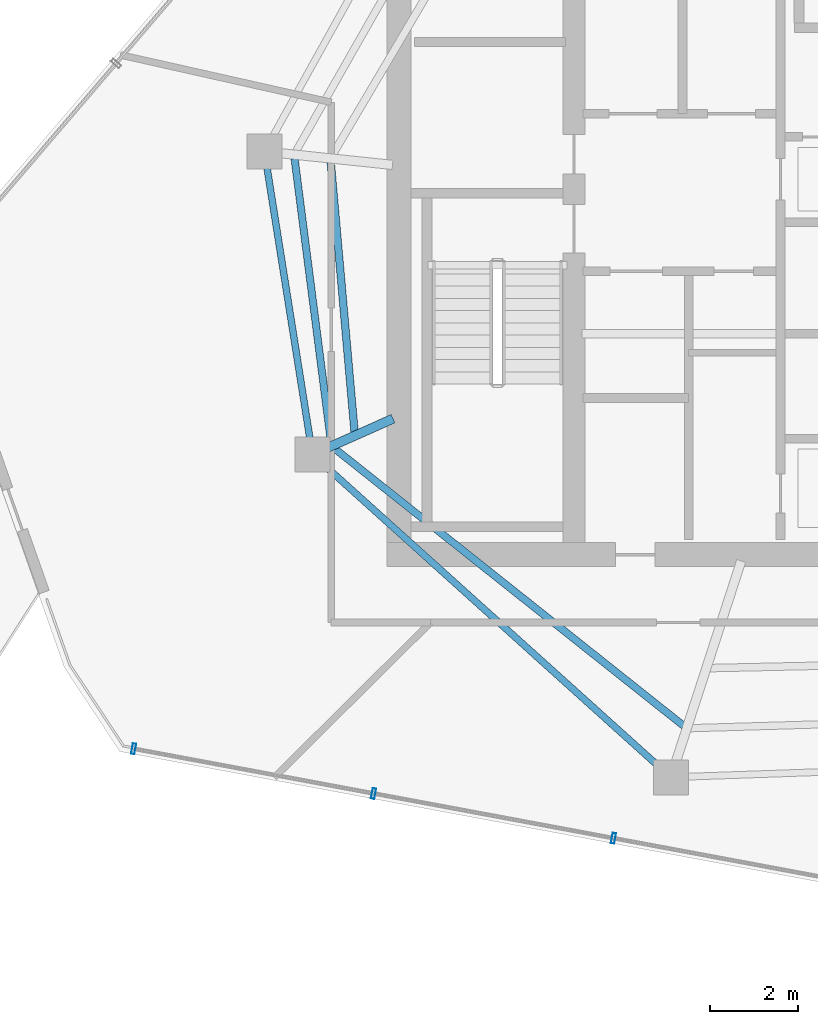
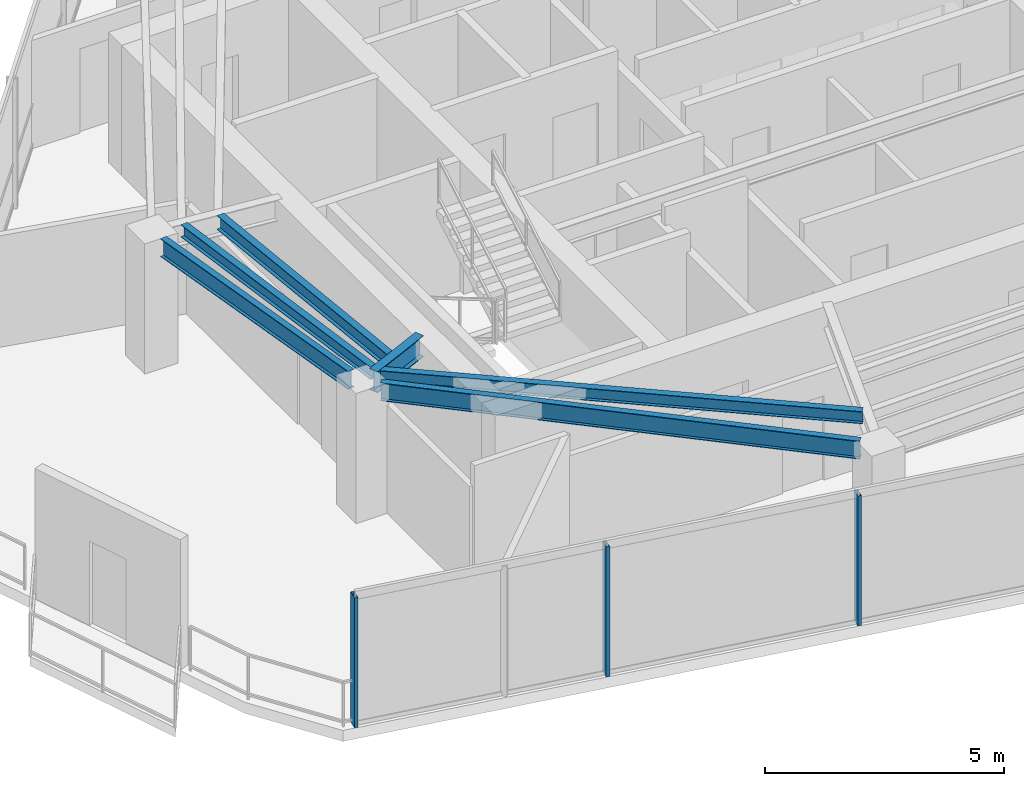
# One storey, part 2 of 18: 6 beams, 3 members, 1 element without a shape of its own.
"""IFC4 building model written with IfcOpenShell, lengths in metres."""

import ifcopenshell
import ifcopenshell.guid

model = None  # the IFC model being written
_history = None  # IfcOwnerHistory: only IFC2X3 demands one
_inside = {}  # id of a spatial element -> (the spatial element, [elements in it])
_under = {}  # id of a project, library or spatial element -> (it, [spatial elements below it])
_declared = {}  # id of a project -> (the project, [libraries it declares])
_typed = {}  # id of a type object -> (the type object, [elements of that type])
_made_of = {}  # id of a material, layer set ... -> (it, [elements and type objects made of it])


def new_model(schema):
    """Start an empty IFC model of exactly this schema.

    Asked for "IFC4X3", IfcOpenShell would pick the latest addendum, in which some entities
    have other attributes; the version numbers below select the first issue.
    IFC2X3 requires an IfcOwnerHistory on every rooted entity: one is made here for all.
    """
    global model, _history
    if schema == "IFC4X3":
        model = ifcopenshell.file(schema_version=(4, 3, 0, 0))
    else:
        model = ifcopenshell.file(schema=schema)
    _inside.clear()
    _under.clear()
    _declared.clear()
    _typed.clear()
    _made_of.clear()
    _history = None
    if model.schema == "IFC2X3":
        org = make("IfcOrganization", Name="unknown")
        user = make(
            "IfcPersonAndOrganization",
            ThePerson=make("IfcPerson", FamilyName="unknown"),
            TheOrganization=org,
        )
        app = make(
            "IfcApplication",
            ApplicationDeveloper=org,
            Version="unknown",
            ApplicationFullName="unknown",
            ApplicationIdentifier="unknown",
        )
        _history = make(
            "IfcOwnerHistory",
            OwningUser=user,
            OwningApplication=app,
            ChangeAction="ADDED",
            CreationDate=0,
        )
    return model


def make(cls, **values):
    """One entity of the class cls with the attributes given. An attribute that is None is left unset."""
    return model.create_entity(
        cls, **{name: value for name, value in values.items() if value is not None}
    )


def rooted(cls, **values):
    """An entity with a GlobalId (a new one), such as an element, a storey or a relation."""
    return make(cls, GlobalId=ifcopenshell.guid.new(), OwnerHistory=_history, **values)


def si_unit(unit_type, name, prefix=None):
    """IfcSIUnit, for example si_unit("LENGTHUNIT", "METRE", prefix="MILLI")."""
    return make("IfcSIUnit", UnitType=unit_type, Prefix=prefix, Name=name)


def assignment(units):
    """IfcUnitAssignment: the units of a project."""
    return None if units is None else make("IfcUnitAssignment", Units=units)


def point(xyz):
    """IfcCartesianPoint."""
    return None if xyz is None else make("IfcCartesianPoint", Coordinates=xyz)


def direction(xyz):
    """IfcDirection."""
    return None if xyz is None else make("IfcDirection", DirectionRatios=xyz)


def frame(location, z_axis=None, x_axis=None):
    """IfcAxis2Placement3D, a coordinate frame: its origin and axes. An axis left out is left unset."""
    return make(
        "IfcAxis2Placement3D",
        Location=point(location),
        Axis=direction(z_axis),
        RefDirection=direction(x_axis),
    )


def frame_2d(location, x_axis=None):
    """IfcAxis2Placement2D, a coordinate frame in the plane: its origin and x axis."""
    return make(
        "IfcAxis2Placement2D", Location=point(location), RefDirection=direction(x_axis)
    )


def origin():
    """The frame at (0, 0, 0) with its axes left unset."""
    return frame((0.0, 0.0, 0.0))


def origin_2d():
    """The frame at (0, 0) in the plane with its x axis left unset."""
    return frame_2d((0.0, 0.0))


def place(relative_to, where):
    """IfcLocalPlacement: puts the frame where relative to a parent placement (None: the world)."""
    return make(
        "IfcLocalPlacement", PlacementRelTo=relative_to, RelativePlacement=where
    )


def context(
    kind, dimensions, precision=None, world=None, true_north=None, identifier=None
):
    """IfcGeometricRepresentationContext, for example the 3D "Model" context."""
    return make(
        "IfcGeometricRepresentationContext",
        ContextIdentifier=identifier,
        ContextType=kind,
        CoordinateSpaceDimension=dimensions,
        Precision=precision,
        WorldCoordinateSystem=world,
        TrueNorth=true_north,
    )


def subcontext(parent, identifier, kind, view, scale=None):
    """IfcGeometricRepresentationSubContext, for example "Body" below "Model"."""
    return make(
        "IfcGeometricRepresentationSubContext",
        ContextIdentifier=identifier,
        ContextType=kind,
        ParentContext=parent,
        TargetScale=scale,
        TargetView=view,
    )


def project(units=None, contexts=None):
    """IfcProject with its units and contexts."""
    return rooted(
        "IfcProject",
        Name="project",
        RepresentationContexts=contexts,
        UnitsInContext=assignment(units),
    )


def spatial(cls, under=None, at=None, **own):
    """A site, building, storey or space (cls), placed at a placement, below another one or the project."""
    s = rooted(cls, ObjectPlacement=at, **own)
    if under is not None:
        _under.setdefault(under.id(), (under, []))[1].append(s)
    return s


def profile(cls, at=None, kind="AREA", **sizes):
    """A parametric profile (cls). Its sizes go by their IFC names, for example OverallWidth=200.0."""
    return make(cls, ProfileType=kind, Position=at, **sizes)


def hollow_rectangle(**sizes):
    """IfcRectangleHollowProfileDef."""
    return profile("IfcRectangleHollowProfileDef", **sizes)


def i_section(**sizes):
    """IfcIShapeProfileDef."""
    return profile("IfcIShapeProfileDef", **sizes)


def extrude(swept, where, along, depth):
    """IfcExtrudedAreaSolid: the profile swept, set in the frame where, extruded along a direction by depth."""
    return make(
        "IfcExtrudedAreaSolid",
        SweptArea=swept,
        Position=where,
        ExtrudedDirection=direction(along),
        Depth=depth,
    )


def shape(context_of_items, identifier, shape_type, items):
    """IfcShapeRepresentation: the items that make up one representation, for example the "Body"."""
    return make(
        "IfcShapeRepresentation",
        ContextOfItems=context_of_items,
        RepresentationIdentifier=identifier,
        RepresentationType=shape_type,
        Items=items,
    )


def material(Name=None, Category=None):
    """IfcMaterial."""
    return make("IfcMaterial", Name=Name, Category=Category)


def layer(
    of_material, thickness, ventilated=None, Name=None, Category=None, Priority=None
):
    """IfcMaterialLayer: one layer of a wall or slab, of a material (None: an air gap)."""
    return make(
        "IfcMaterialLayer",
        Material=of_material,
        LayerThickness=thickness,
        IsVentilated=ventilated,
        Name=Name,
        Category=Category,
        Priority=Priority,
    )


def layer_set(layers, Name=None):
    """IfcMaterialLayerSet."""
    return make("IfcMaterialLayerSet", MaterialLayers=layers, LayerSetName=Name)


def material_profile(
    of_material, cross_section, Name=None, Category=None, Priority=None
):
    """IfcMaterialProfile: a cross section and its material."""
    return make(
        "IfcMaterialProfile",
        Name=Name,
        Material=of_material,
        Profile=cross_section,
        Priority=Priority,
        Category=Category,
    )


def profile_set(profiles, Name=None, composite=None):
    """IfcMaterialProfileSet."""
    return make(
        "IfcMaterialProfileSet",
        Name=Name,
        MaterialProfiles=profiles,
        CompositeProfile=composite,
    )


def made_of(thing, what):
    """Note that an element or type object is made of a material, layer set ...; save() writes the relation."""
    if what is not None:
        _made_of.setdefault(what.id(), (what, []))[1].append(thing)
    return thing


def type_object(cls, material=None, **own):
    """A type object (cls), such as IfcWallType, which elements share."""
    return made_of(rooted(cls, **own), material)


def element(
    cls,
    number,
    at=None,
    inside=None,
    cuts=None,
    type_object=None,
    material=None,
    context=None,
    identifier="Body",
    shape_type=None,
    held_by="IfcProductDefinitionShape",
    body=None,
    shapes=None,
    **own,
):
    """One element of the class cls, such as IfcWall. Its Tag is "e" and its number.

    at: its placement. inside: the storey or other place that contains it. cuts: it is an
    opening in that element (IfcRelVoidsElement). A single representation is given by context,
    identifier, shape_type and body (its items); several are given by shapes. held_by: the class
    of the entity that holds the representations. save() writes the other relations.
    """
    e = rooted(cls, Tag="e%d" % number, ObjectPlacement=at, **own)
    if body is not None:
        shapes = [shape(context, identifier, shape_type, body)]
    if shapes is not None:
        e.Representation = make(held_by, Representations=shapes)
    if inside is not None:
        _inside.setdefault(inside.id(), (inside, []))[1].append(e)
    if cuts is not None:
        rooted(
            "IfcRelVoidsElement", RelatingBuildingElement=cuts, RelatedOpeningElement=e
        )
    if type_object is not None:
        _typed.setdefault(type_object.id(), (type_object, []))[1].append(e)
    return made_of(e, material)


def aggregate(whole, parts):
    """IfcRelAggregates: a whole, such as a stair, and the parts it consists of."""
    return rooted("IfcRelAggregates", RelatingObject=whole, RelatedObjects=parts)


def save(model, path):
    """Write the relations noted so far, then the file.

    IfcRelAggregates (storeys below a building ...), IfcRelContainedInSpatialStructure (elements
    in a storey), IfcRelDefinesByType, IfcRelAssociatesMaterial and IfcRelDeclares: one each for
    every whole, place, type object, material and project.
    """
    for whole, parts in _under.values():
        aggregate(whole, parts)
    for where, things in _inside.values():
        rooted(
            "IfcRelContainedInSpatialStructure",
            RelatedElements=things,
            RelatingStructure=where,
        )
    for kind, things in _typed.values():
        rooted("IfcRelDefinesByType", RelatedObjects=things, RelatingType=kind)
    for what, things in _made_of.values():
        rooted("IfcRelAssociatesMaterial", RelatedObjects=things, RelatingMaterial=what)
    for by, libraries in _declared.values():
        rooted("IfcRelDeclares", RelatingContext=by, RelatedDefinitions=libraries)
    model.write(path)


model = new_model("IFC4")

# Units and contexts
model_context = context("Model", 3, precision=1e-05, world=origin(), true_north=direction((0.0, 1.0)))
body_context = subcontext(model_context, "Body", "Model", "MODEL_VIEW")
ifc_project = project(units=[si_unit("LENGTHUNIT", "METRE"), si_unit("AREAUNIT", "SQUARE_METRE"), si_unit("VOLUMEUNIT", "CUBIC_METRE"), si_unit("PLANEANGLEUNIT", "RADIAN"), si_unit("MASSUNIT", "GRAM", prefix="KILO")], contexts=[model_context])

# Site, building, storey
site_placement = place(None, origin())
site = spatial("IfcSite", under=ifc_project, at=site_placement, CompositionType="ELEMENT")
building_placement = place(site_placement, origin())
building = spatial("IfcBuilding", under=site, at=building_placement, Name="Qarnah Convention Tower", CompositionType="ELEMENT")
storey_placement = place(building_placement, frame((0.0, 0.0, 253.5)))
storey = spatial("IfcBuildingStorey", under=building, at=storey_placement, Name="L68", CompositionType="ELEMENT", Elevation=253.5)

# Beams
ifc_material_1 = material(Name="Structural steel S355JR", Category="steel")
ifc_material_profile_1 = material_profile(ifc_material_1, i_section(OverallWidth=0.166015625, OverallDepth=0.31201171875, WebThickness=0.007080078125, FlangeThickness=0.010986328125, at=origin_2d()), Name="W310X45")
ifc_profile_set_1 = profile_set([ifc_material_profile_1], Name="Structural steel S355JR")
beam_type_1 = type_object("IfcBeamType", Name="BM-JST-W310", PredefinedType="JOIST", material=ifc_profile_set_1)
beam_1_placement = place(storey_placement, frame((24.412109375, 27.656005859375, 3.1640625), z_axis=(0.127426220111, -0.991848052087, 0.0), x_axis=(0.991848052087, 0.127426220111, 0.0)))
element("IfcBeam", 1, at=beam_1_placement, inside=storey, type_object=beam_type_1, Name="L68 joist BM-L68-SJST-05", PredefinedType="JOIST", context=body_context, shape_type="SweptSolid", body=[
    extrude(i_section(OverallWidth=0.166015625, OverallDepth=0.31201171875, WebThickness=0.007080078125, FlangeThickness=0.010986328125, at=origin_2d()), origin(), (0.0, 0.0, 1.0), 6.537109375),
])
beam_2_placement = place(storey_placement, frame((25.325927734375, 21.027099609375, 3.1640625), z_axis=(0.783049084818, -0.621959910899, 0.0), x_axis=(0.621959910899, 0.783049084818, 0.0)))
element("IfcBeam", 2, at=beam_2_placement, inside=storey, type_object=beam_type_1, Name="L68 joist BM-L68-SJST-06", PredefinedType="JOIST", context=body_context, shape_type="SweptSolid", body=[
    extrude(i_section(OverallWidth=0.166015625, OverallDepth=0.31201171875, WebThickness=0.007080078125, FlangeThickness=0.010986328125, at=origin_2d()), origin(), (0.0, 0.0, 1.0), 10.192138671875),
])
ifc_material_profile_2 = material_profile(ifc_material_1, i_section(OverallWidth=0.172119140625, OverallDepth=0.35595703125, WebThickness=0.007080078125, FlangeThickness=0.011962890625, at=origin_2d()), Name="W360X51")
ifc_profile_set_2 = profile_set([ifc_material_profile_2], Name="Structural steel S355JR")
beam_type_2 = type_object("IfcBeamType", Name="BM-JST-W360", PredefinedType="JOIST", material=ifc_profile_set_2)
beam_3_placement = place(storey_placement, frame((25.239013671875, 27.568115234375, 3.14208984375), z_axis=(0.08799985905, -0.996120487093, 0.0), x_axis=(0.996120487093, 0.08799985905, 0.0)))
element("IfcBeam", 3, at=beam_3_placement, inside=storey, type_object=beam_type_2, Name="L68 joist BM-L68-IJST-05", PredefinedType="JOIST", context=body_context, shape_type="SweptSolid", body=[
    extrude(i_section(OverallWidth=0.172119140625, OverallDepth=0.35595703125, WebThickness=0.007080078125, FlangeThickness=0.011962890625, at=origin_2d()), origin(), (0.0, 0.0, 1.0), 6.18115234375),
])
ifc_material_profile_3 = material_profile(ifc_material_1, i_section(OverallWidth=0.2119140625, OverallDepth=0.5400390625, WebThickness=0.011962890625, FlangeThickness=0.01904296875, at=origin_2d()), Name="W530X109")
ifc_profile_set_3 = profile_set([ifc_material_profile_3], Name="Structural steel S355JR")
beam_type_3 = type_object("IfcBeamType", Name="BM-RAD-W530A", PredefinedType="BEAM", material=ifc_profile_set_3)
beam_4_placement = place(storey_placement, frame((26.6630859375, 21.708984375, 3.050048828125), z_axis=(-0.913688456795, -0.406415309652, 0.0), x_axis=(0.406415309652, -0.913688456795, 0.0)))
element("IfcBeam", 4, at=beam_4_placement, inside=storey, type_object=beam_type_3, Name="L68 beam BM-L68-RAD-06", PredefinedType="BEAM", context=body_context, shape_type="SweptSolid", body=[
    extrude(i_section(OverallWidth=0.2119140625, OverallDepth=0.5400390625, WebThickness=0.011962890625, FlangeThickness=0.01904296875, at=origin_2d()), origin(), (0.0, 0.0, 1.0), 1.636474609375),
])
ifc_material_profile_4 = material_profile(ifc_material_1, i_section(OverallWidth=0.154052734375, OverallDepth=0.4599609375, WebThickness=0.009033203125, FlangeThickness=0.014892578125, at=origin_2d()), Name="W460X68")
ifc_profile_set_4 = profile_set([ifc_material_profile_4], Name="Structural steel S355JR")
beam_type_4 = type_object("IfcBeamType", Name="BM-SPN-W460B", PredefinedType="SPANDREL", material=ifc_profile_set_4)
beam_5_placement = place(storey_placement, frame((23.784912109375, 27.430908203125, 3.090087890625), z_axis=(0.156423110156, -0.987690138965, 0.0), x_axis=(0.987690138965, 0.156423110156, 0.0)))
element("IfcBeam", 5, at=beam_5_placement, inside=storey, type_object=beam_type_4, Name="L68 spandrel BM-L68-SPN-05", PredefinedType="SPANDREL", context=body_context, shape_type="SweptSolid", body=[
    extrude(i_section(OverallWidth=0.154052734375, OverallDepth=0.4599609375, WebThickness=0.009033203125, FlangeThickness=0.014892578125, at=origin_2d()), origin(), (0.0, 0.0, 1.0), 6.233642578125),
])
beam_6_placement = place(storey_placement, frame((25.111083984375, 20.6279296875, 3.090087890625), z_axis=(0.743130570512, -0.669146437762, 0.0), x_axis=(0.669146437762, 0.743130570512, 0.0)))
element("IfcBeam", 6, at=beam_6_placement, inside=storey, type_object=beam_type_4, Name="L68 spandrel BM-L68-SPN-06", PredefinedType="SPANDREL", context=body_context, shape_type="SweptSolid", body=[
    extrude(i_section(OverallWidth=0.154052734375, OverallDepth=0.4599609375, WebThickness=0.009033203125, FlangeThickness=0.014892578125, at=origin_2d()), origin(), (0.0, 0.0, 1.0), 10.242919921875),
])

# Curtain wall, members
ifc_material_2 = material(Name="Tempered Low-E dark glass", Category="glass")
ifc_layer = layer(ifc_material_2, 0.176025390625)
ifc_layer_set = layer_set([ifc_layer], Name="Tempered Low-E dark glass")
curtain_wall_type = type_object("IfcCurtainWallType", Name="CWS-05", PredefinedType="NOTDEFINED", material=ifc_layer_set)
curtain_wall_placement = place(storey_placement, origin())
curtain_wall = element("IfcCurtainWall", 7, at=curtain_wall_placement, inside=storey, type_object=curtain_wall_type, Name="L68 unitised curtain wall CW-L68-F2", PredefinedType="NOTDEFINED")
ifc_material_3 = material(Name="Black anodised aluminium", Category="aluminium")
ifc_material_profile_5 = material_profile(ifc_material_3, hollow_rectangle(XDim=0.080078125, YDim=0.239990234375, WallThickness=0.0048828125, at=origin_2d()), Name="MUL-80X240")
ifc_profile_set_5 = profile_set([ifc_material_profile_5], Name="Black anodised aluminium")
member_type = type_object("IfcMemberType", Name="MUL-T5", PredefinedType="MULLION", material=ifc_profile_set_5)
member_1_placement = place(storey_placement, frame((31.700927734375, 12.11962890625, 0.0), z_axis=(0.0, 0.0, 1.0), x_axis=(-0.983062050899, 0.183273031521, 0.0)))
member_1 = element("IfcMember", 8, at=member_1_placement, type_object=member_type, Name="CW-L68-F2 mullion 4", PredefinedType="MULLION", context=body_context, shape_type="SweptSolid", body=[
    extrude(hollow_rectangle(XDim=0.080078125, YDim=0.239990234375, WallThickness=0.0048828125, at=origin_2d()), origin(), (0.0, 0.0, 1.0), 3.320068359375),
])
member_2_placement = place(storey_placement, frame((26.218017578125, 13.141845703125, 0.0), z_axis=(0.0, 0.0, 1.0), x_axis=(-0.983062050899, 0.183273031521, 0.0)))
member_2 = element("IfcMember", 9, at=member_2_placement, type_object=member_type, Name="CW-L68-F2 mullion 5", PredefinedType="MULLION", context=body_context, shape_type="SweptSolid", body=[
    extrude(hollow_rectangle(XDim=0.080078125, YDim=0.239990234375, WallThickness=0.0048828125, at=origin_2d()), origin(), (0.0, 0.0, 1.0), 3.320068359375),
])
member_3_placement = place(storey_placement, frame((20.735107421875, 14.1640625, 0.0), z_axis=(0.0, 0.0, 1.0), x_axis=(-0.983062050899, 0.183273031521, 0.0)))
member_3 = element("IfcMember", 10, at=member_3_placement, type_object=member_type, Name="CW-L68-F2 mullion 6", PredefinedType="MULLION", context=body_context, shape_type="SweptSolid", body=[
    extrude(hollow_rectangle(XDim=0.080078125, YDim=0.239990234375, WallThickness=0.0048828125, at=origin_2d()), origin(), (0.0, 0.0, 1.0), 3.320068359375),
])
aggregate(curtain_wall, [member_1, member_2, member_3])

save(model, "model.ifc")
